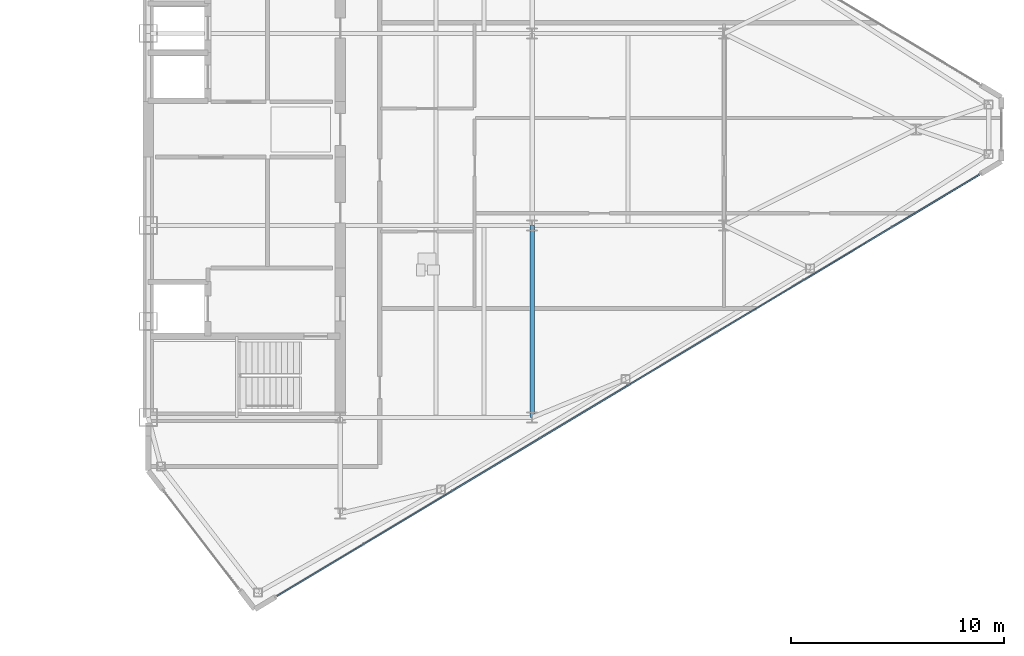
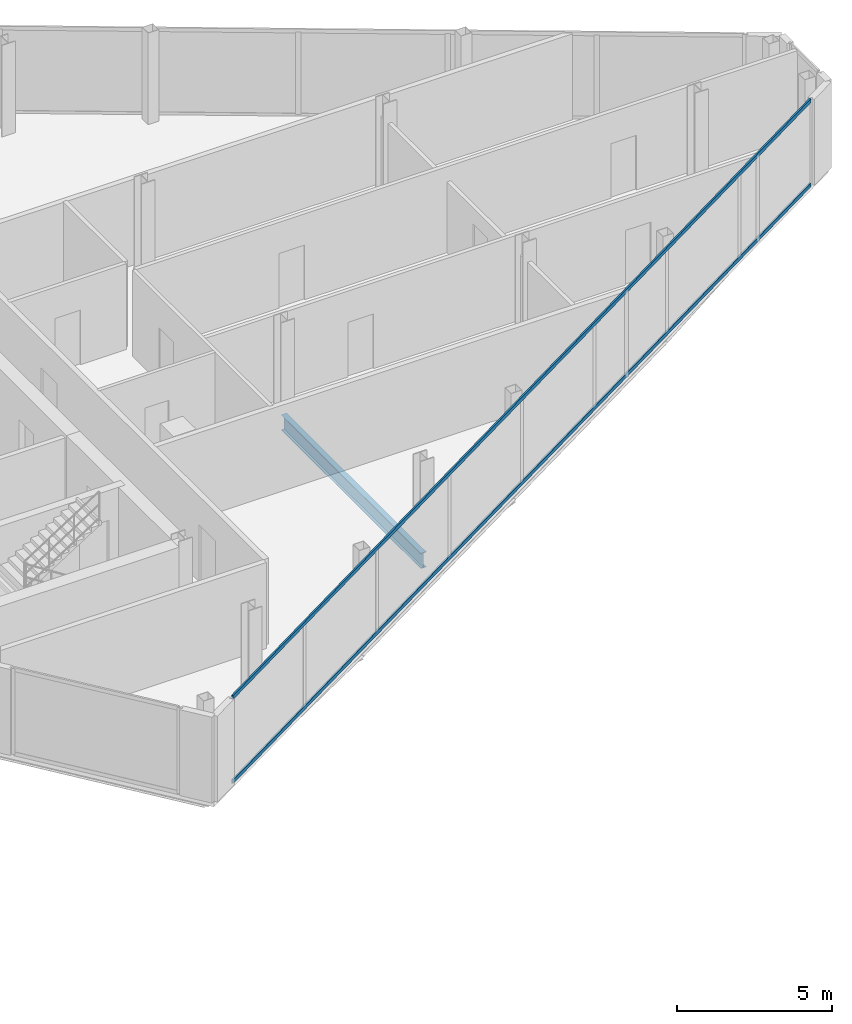
# One storey, part 12 of 25: 2 members, 1 beam, 1 element without a shape of its own.
"""IFC4 building model written with IfcOpenShell, lengths in metres."""

from ifc_helpers import new_model, si_unit, direction, frame, origin, origin_2d, place, context, subcontext, project, spatial, rectangle, i_section, extrude, source, transform, mapped, material, layer, layer_set, material_profile, profile_set, type_object, type_shapes, element, aggregate, save


model = new_model("IFC4")

# Units and contexts
model_context = context("Model", 3, precision=1e-05, world=origin(), true_north=direction((0.0, 1.0)))
body_context = subcontext(model_context, "Body", "Model", "MODEL_VIEW")
ifc_project = project(units=[si_unit("LENGTHUNIT", "METRE"), si_unit("AREAUNIT", "SQUARE_METRE"), si_unit("VOLUMEUNIT", "CUBIC_METRE"), si_unit("PLANEANGLEUNIT", "RADIAN"), si_unit("MASSUNIT", "GRAM", prefix="KILO")], contexts=[model_context])

# Site, building, storey
site_placement = place(None, origin())
site = spatial("IfcSite", under=ifc_project, at=site_placement, CompositionType="ELEMENT")
building_placement = place(site_placement, origin())
building = spatial("IfcBuilding", under=site, at=building_placement, Name="Seokmaru Belvedere", CompositionType="ELEMENT")
storey_placement = place(building_placement, frame((0.0, 0.0, 217.5)))
storey = spatial("IfcBuildingStorey", under=building, at=storey_placement, Name="L58", CompositionType="ELEMENT", Elevation=217.5)

# Beam
ifc_material_1 = material(Name="Steel SM355 (355 MPa)", Category="steel")
ifc_material_profile_1 = material_profile(ifc_material_1, i_section(OverallWidth=0.199951171875, OverallDepth=0.60009765625, WebThickness=0.010986328125, FlangeThickness=0.01708984375, at=origin_2d()), Name="H-600x200x11x17")
ifc_profile_set_1 = profile_set([ifc_material_profile_1], Name="Steel SM355 (355 MPa)")
beam_type = type_object("IfcBeamType", Name="Primary Floor Girder H-600", PredefinedType="BEAM", material=ifc_profile_set_1)
shared_shape_1 = source(origin(), body_context, "Body", "SweptSolid", [
    extrude(i_section(OverallWidth=0.199951171875, OverallDepth=0.60009765625, WebThickness=0.010986328125, FlangeThickness=0.01708984375, at=origin_2d()), origin(), (0.0, 0.0, 1.0), 9.0),
])
type_shapes(beam_type, [shared_shape_1])
beam_placement = place(storey_placement, frame((45.5, -13.5, -0.52001953125), z_axis=(0.0, 1.0, 0.0), x_axis=(-1.0, 0.0, 0.0)))
element("IfcBeam", 1, at=beam_placement, inside=storey, type_object=beam_type, Name="L58 E Interior Grid Girder 1", PredefinedType="BEAM", context=body_context, shape_type="MappedRepresentation", body=[
    mapped(shared_shape_1, transform((0.0, 0.0, 0.0), scale=1.0)),
])

# Curtain wall, members
ifc_material_2 = material(Name="Bronze Triple Insulating Glass", Category="glass")
ifc_layer = layer(ifc_material_2, 0.179931640625)
ifc_layer_set = layer_set([ifc_layer], Name="Bronze Triple Insulating Glass")
curtain_wall_type = type_object("IfcCurtainWallType", Name="High-Rise Wind-Corner Curtain Wall System CW-5", PredefinedType="NOTDEFINED", material=ifc_layer_set)
curtain_wall_placement = place(storey_placement, origin())
curtain_wall = element("IfcCurtainWall", 2, at=curtain_wall_placement, inside=storey, type_object=curtain_wall_type, Name="L58 Curtain Wall EF1", PredefinedType="NOTDEFINED")
ifc_material_3 = material(Name="Anodised Bronze Aluminium", Category="aluminium")
ifc_material_profile_2 = material_profile(ifc_material_3, rectangle(XDim=0.06494140625, YDim=0.14990234375, at=origin_2d()), Name="CW-T-65x150")
ifc_profile_set_2 = profile_set([ifc_material_profile_2], Name="Anodised Bronze Aluminium")
member_type = type_object("IfcMemberType", Name="Bronze Unitised Transom 65x150", PredefinedType="USERDEFINED", material=ifc_profile_set_2)
shared_shape_2 = source(origin(), body_context, "Body", "SweptSolid", [
    extrude(rectangle(XDim=0.06494140625, YDim=0.14990234375, at=origin_2d()), origin(), (0.0, 0.0, 1.0), 38.386962890625),
])
type_shapes(member_type, [shared_shape_2])
member_1_placement = place(storey_placement, frame((33.541748046875, -21.875, 0.032470703125), z_axis=(0.85749180336, 0.514497626011, 0.0), x_axis=(-0.514497626011, 0.85749180336, 0.0)))
member_1 = element("IfcMember", 3, at=member_1_placement, type_object=member_type, Name="CW:L58:EF1 Continuous Transom 1", ObjectType="TRANSOM", PredefinedType="USERDEFINED", context=body_context, shape_type="MappedRepresentation", body=[
    mapped(shared_shape_2, transform((0.0, 0.0, 0.0), scale=1.0)),
])
member_2_placement = place(storey_placement, frame((33.541748046875, -21.875, 3.347412109375), z_axis=(0.85749180336, 0.514497626011, 0.0), x_axis=(-0.514497626011, 0.85749180336, 0.0)))
member_2 = element("IfcMember", 4, at=member_2_placement, type_object=member_type, Name="CW:L58:EF1 Continuous Transom 2", ObjectType="TRANSOM", PredefinedType="USERDEFINED", context=body_context, shape_type="MappedRepresentation", body=[
    mapped(shared_shape_2, transform((0.0, 0.0, 0.0), scale=1.0)),
])
aggregate(curtain_wall, [member_1, member_2])

save(model, "model.ifc")
